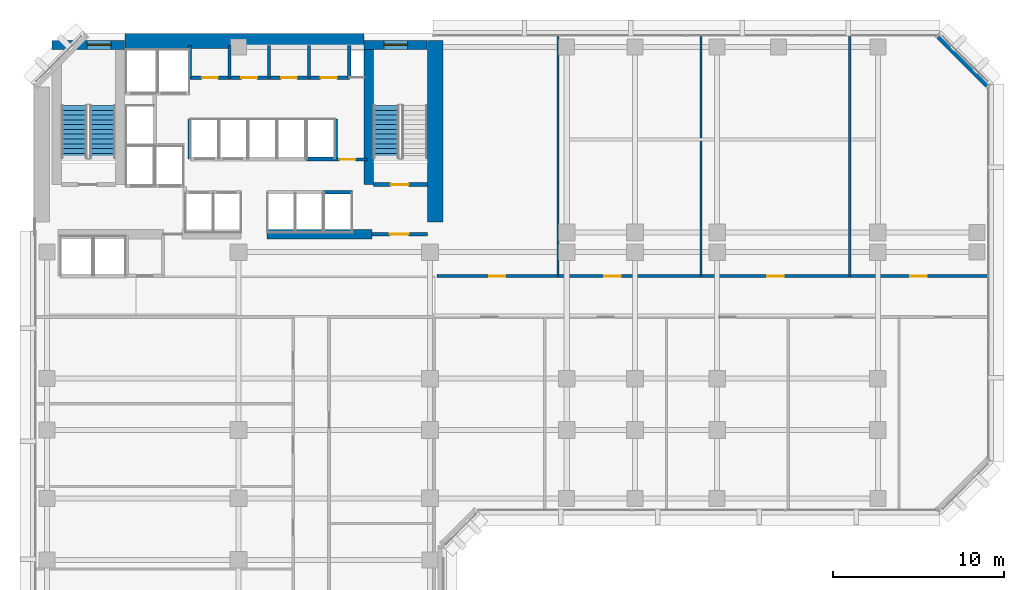
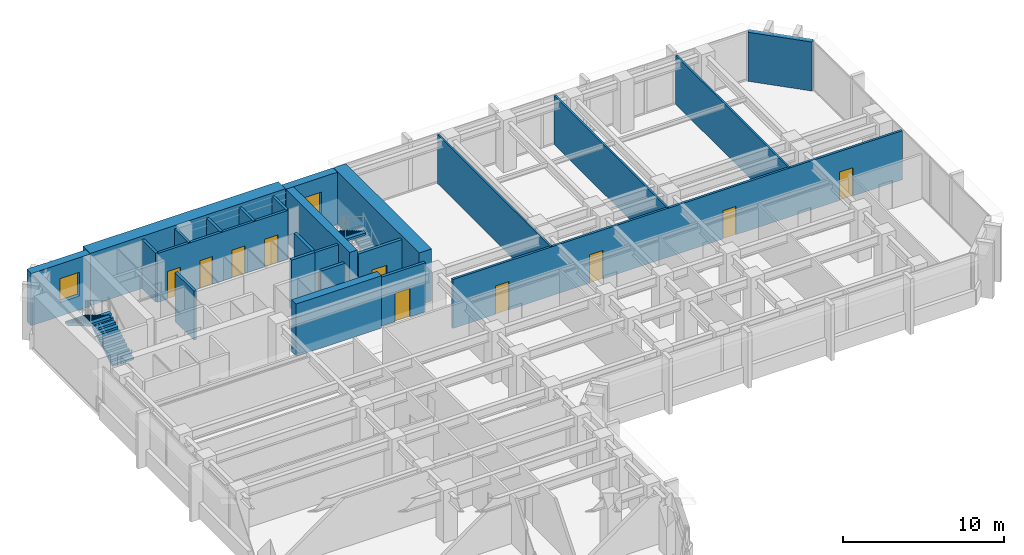
# One storey, part 8 of 14: 24 walls, 11 doors, 3 stair flights, 2 windows, 13 openings, 2 elements without a shape of their own.
"""IFC4 building model written with IfcOpenShell, lengths in metres."""

from ifc_helpers import new_model, si_unit, direction, frame, frame_2d, origin, place, context, subcontext, project, spatial, polyline, rectangle, outline, extrude, material, layer, layer_set, type_object, element, fill, aggregate, save


model = new_model("IFC4")

# Units and contexts
model_context = context("Model", 3, precision=1e-05, world=origin(), true_north=direction((0.0, 1.0)))
body_context = subcontext(model_context, "Body", "Model", "MODEL_VIEW")
ifc_project = project(units=[si_unit("LENGTHUNIT", "METRE"), si_unit("AREAUNIT", "SQUARE_METRE"), si_unit("VOLUMEUNIT", "CUBIC_METRE"), si_unit("PLANEANGLEUNIT", "RADIAN"), si_unit("MASSUNIT", "GRAM", prefix="KILO")], contexts=[model_context])

# Site, building, storey
site_placement = place(None, origin())
site = spatial("IfcSite", under=ifc_project, at=site_placement, CompositionType="ELEMENT")
building_placement = place(site_placement, origin())
building = spatial("IfcBuilding", under=site, at=building_placement, Name="Kefirva Bronze Tower", CompositionType="ELEMENT")
storey_placement = place(building_placement, frame((0.0, 0.0, 66.0)))
storey = spatial("IfcBuildingStorey", under=building, at=storey_placement, Name="L15", CompositionType="ELEMENT", Elevation=66.0)

# Walls
ifc_material_1 = material(Name="Gypsum acoustic partition")
ifc_layer_1 = layer(ifc_material_1, 0.1298828125, Name="Gypsum acoustic partition")
ifc_layer_set_1 = layer_set([ifc_layer_1], Name="Gypsum acoustic partition")
wall_type_1 = type_object("IfcWallType", Name="Acoustic Office Partition 130mm", PredefinedType="PARTITIONING", material=ifc_layer_set_1)
for number, where, z_axis, x_axis, name in (
    (1, (30.686279296875, 31.800048828125, 0.0), (0.0, 0.0, 1.0), (0.0, 1.0, 0.0), "L15 Partition W-L15-END1"),
    (2, (39.060791015625, 31.800048828125, 0.0), (0.0, 0.0, 1.0), (0.0, 1.0, 0.0), "L15 Partition W-L15-END2"),
    (3, (47.757568359375, 31.800048828125, 0.0), (0.0, 0.0, 1.0), (0.0, 1.0, 0.0), "L15 Partition W-L15-END3"),
):
    element("IfcWall", number, at=place(storey_placement, frame(where, z_axis=z_axis, x_axis=x_axis)), inside=storey, type_object=wall_type_1, Name=name, PredefinedType="PARTITIONING", context=body_context, shape_type="SweptSolid", body=[
        extrude(rectangle(XDim=14.010009765625, YDim=0.1298828125, at=frame_2d((7.0048828125, 0.0))), origin(), (0.0, 0.0, 1.0), 3.7099609375),
    ])

# Wall, opening, door
ifc_material_2 = material(Name="Gypsum fireboard shaftwall")
ifc_layer_2 = layer(ifc_material_2, 0.219970703125, Name="Gypsum fireboard shaftwall")
ifc_layer_set_2 = layer_set([ifc_layer_2], Name="Gypsum fireboard shaftwall")
wall_type_2 = type_object("IfcWallType", Name="Fire-Rated Shaft Enclosure Wall 220mm", PredefinedType="PARTITIONING", material=ifc_layer_set_2)
wall_1_placement = place(storey_placement, frame((19.89990234375, 37.14990234375, 0.0), z_axis=(0.0, 0.0, 1.0), x_axis=(1.0, 0.0, 0.0)))
wall_1 = element("IfcWall", 4, at=wall_1_placement, inside=storey, type_object=wall_type_2, Name="L15 Partition W-L15-ST2S", PredefinedType="PARTITIONING", context=body_context, shape_type="SweptSolid", body=[
    extrude(rectangle(XDim=3.150146484375, YDim=0.219970703125, at=frame_2d((1.5751953125, 0.0))), origin(), (0.0, 0.0, 1.0), 3.7099609375),
])
opening_1_placement = place(wall_1_placement, frame((2.050048828125, 0.0, 0.0), z_axis=(0.0, 0.0, 1.0), x_axis=(-1.0, 0.0, 0.0)))
opening_1 = element("IfcOpeningElement", 5, at=opening_1_placement, cuts=wall_1, Name="Opening L15-D003", PredefinedType="OPENING", context=body_context, shape_type="SweptSolid", body=[
    extrude(rectangle(XDim=1.050048828125, YDim=2.14990234375, at=frame_2d((0.52490234375, 1.074951171875))), frame((0.0, 0.1201171875, 0.0), z_axis=(0.0, -1.0, 0.0), x_axis=(1.0, 0.0, 0.0)), (0.0, 0.0, 1.0), 0.239990234375),
])
ifc_material_3 = material(Name="Painted galvanized steel", Category="steel")
door_type_1 = type_object("IfcDoorType", Name="Fire Stair Enclosure Door 1050x2150 FD90S", OperationType="NOTDEFINED", PredefinedType="DOOR", material=ifc_material_3)
door_1_placement = place(opening_1_placement, origin())
door_1 = element("IfcDoor", 6, at=door_1_placement, inside=storey, type_object=door_type_1, Name="Door L15-D003", OperationType="SINGLE_SWING_LEFT", OverallHeight=2.14990234375, OverallWidth=1.050048828125, PredefinedType="DOOR", context=body_context, shape_type="SweptSolid", body=[
    extrude(rectangle(XDim=1.050048828125, YDim=2.14990234375, at=frame_2d((0.52490234375, 1.074951171875))), frame((0.0, 0.02490234375, 0.0), z_axis=(0.0, -1.0, 0.0), x_axis=(1.0, 0.0, 0.0)), (0.0, 0.0, 1.0), 0.050048828125),
])
fill(opening_1, door_1)

# Walls
for number, where, z_axis, x_axis, name in (
    (7, (9.159912109375, 38.64990234375, 0.0), (0.0, 0.0, 1.0), (0.0, 1.0, 0.0), "L15 Partition W-L15-LP3W"),
    (8, (17.679931640625, 38.64990234375, 0.0), (0.0, 0.0, 1.0), (0.0, 1.0, 0.0), "L15 Partition W-L15-HP2E"),
):
    element("IfcWall", number, at=place(storey_placement, frame(where, z_axis=z_axis, x_axis=x_axis)), inside=storey, type_object=wall_type_2, Name=name, PredefinedType="PARTITIONING", context=body_context, shape_type="SweptSolid", body=[
        extrude(rectangle(XDim=2.35009765625, YDim=0.199951171875, at=frame_2d((1.175048828125, 0.0))), origin(), (0.0, 0.0, 1.0), 3.7099609375),
    ])
wall_2_placement = place(storey_placement, frame((16.97998046875, 36.699951171875, 0.0), z_axis=(0.0, 0.0, 1.0), x_axis=(1.0, 0.0, 0.0)))
element("IfcWall", 9, at=wall_2_placement, inside=storey, type_object=wall_type_2, Name="L15 Partition W-L15-HPS", PredefinedType="PARTITIONING", context=body_context, shape_type="SweptSolid", body=[
    extrude(rectangle(XDim=1.699951171875, YDim=0.219970703125, at=frame_2d((0.85009765625, 0.0))), origin(), (0.0, 0.0, 1.0), 3.7099609375),
])
wall_3_placement = place(storey_placement, frame((15.97998046875, 38.64990234375, 0.0), z_axis=(0.0, 0.0, 1.0), x_axis=(1.0, 0.0, 0.0)))
element("IfcWall", 10, at=wall_3_placement, inside=storey, type_object=wall_type_2, Name="L15 Partition W-L15-HPN", PredefinedType="PARTITIONING", context=body_context, shape_type="SweptSolid", body=[
    extrude(rectangle(XDim=1.719970703125, YDim=0.219970703125, at=frame_2d((0.85986328125, 0.0))), origin(), (0.0, 0.0, 1.0), 3.7099609375),
])

# Wall, opening, door
ifc_material_4 = material(Name="Gypsum fireboard barrier")
ifc_layer_3 = layer(ifc_material_4, 0.199951171875, Name="Gypsum fireboard barrier")
ifc_layer_set_3 = layer_set([ifc_layer_3], Name="Gypsum fireboard barrier")
wall_type_3 = type_object("IfcWallType", Name="Firefighting Lobby Barrier Wall 200mm", PredefinedType="PARTITIONING", material=ifc_layer_set_3)
wall_4_placement = place(storey_placement, frame((19.800048828125, 34.25, 0.0), z_axis=(0.0, 0.0, 1.0), x_axis=(1.0, 0.0, 0.0)))
wall_4 = element("IfcWall", 11, at=wall_4_placement, inside=storey, type_object=wall_type_3, Name="L15 Partition W-L15-ST2F", PredefinedType="PARTITIONING", context=body_context, shape_type="SweptSolid", body=[
    extrude(rectangle(XDim=3.25, YDim=0.199951171875, at=frame_2d((1.625, 0.0))), origin(), (0.0, 0.0, 1.0), 3.7099609375),
])
opening_2_placement = place(wall_4_placement, frame((2.150146484375, 0.0, 0.0), z_axis=(0.0, 0.0, 1.0), x_axis=(-1.0, 0.0, 0.0)))
opening_2 = element("IfcOpeningElement", 12, at=opening_2_placement, cuts=wall_4, Name="Opening L15-D004", PredefinedType="OPENING", context=body_context, shape_type="SweptSolid", body=[
    extrude(rectangle(XDim=1.10009765625, YDim=2.14990234375, at=frame_2d((0.550048828125, 1.074951171875))), frame((0.0, 0.10986328125, 0.0), z_axis=(0.0, -1.0, 0.0), x_axis=(1.0, 0.0, 0.0)), (0.0, 0.0, 1.0), 0.219970703125),
])
door_type_2 = type_object("IfcDoorType", Name="Firefighting Lobby Smoke Door 1100x2150 FD60S", OperationType="NOTDEFINED", PredefinedType="DOOR", material=ifc_material_3)
door_2_placement = place(opening_2_placement, origin())
door_2 = element("IfcDoor", 13, at=door_2_placement, inside=storey, type_object=door_type_2, Name="Door L15-D004", OperationType="SINGLE_SWING_RIGHT", OverallHeight=2.14990234375, OverallWidth=1.10009765625, PredefinedType="DOOR", context=body_context, shape_type="SweptSolid", body=[
    extrude(rectangle(XDim=1.10009765625, YDim=2.14990234375, at=frame_2d((0.550048828125, 1.074951171875))), frame((0.0, 0.02490234375, 0.0), z_axis=(0.0, -1.0, 0.0), x_axis=(1.0, 0.0, 0.0)), (0.0, 0.0, 1.0), 0.050048828125),
])
fill(opening_2, door_2)

wall_5_placement = place(storey_placement, frame((17.679931640625, 38.6201171875, 0.0), z_axis=(0.0, 0.0, 1.0), x_axis=(1.0, 0.0, 0.0)))
wall_5 = element("IfcWall", 14, at=wall_5_placement, inside=storey, type_object=wall_type_3, Name="L15 Partition W-L15-CPASS", PredefinedType="PARTITIONING", context=body_context, shape_type="SweptSolid", body=[
    extrude(rectangle(XDim=1.840087890625, YDim=0.179931640625, at=frame_2d((0.919921875, 0.0))), origin(), (0.0, 0.0, 1.0), 3.7099609375),
])
opening_3_placement = place(wall_5_placement, frame((0.239990234375, 0.0, 0.0)))
opening_3 = element("IfcOpeningElement", 15, at=opening_3_placement, cuts=wall_5, Name="Opening L15-D-CPAS", PredefinedType="OPENING", context=body_context, shape_type="SweptSolid", body=[
    extrude(rectangle(XDim=0.919921875, YDim=2.10009765625, at=frame_2d((0.4599609375, 1.050048828125))), frame((0.0, 0.10009765625, 0.0), z_axis=(0.0, -1.0, 0.0), x_axis=(1.0, 0.0, 0.0)), (0.0, 0.0, 1.0), 0.199951171875),
])
ifc_material_5 = material(Name="Moisture-resistant timber", Category="wood")
door_type_3 = type_object("IfcDoorType", Name="Accessible Sanitary & WC Door 920x2100", OperationType="NOTDEFINED", PredefinedType="DOOR", material=ifc_material_5)
door_3_placement = place(opening_3_placement, origin())
door_3 = element("IfcDoor", 16, at=door_3_placement, inside=storey, type_object=door_type_3, Name="Door L15-D-CPAS", OperationType="SINGLE_SWING_LEFT", OverallHeight=2.10009765625, OverallWidth=0.919921875, PredefinedType="DOOR", context=body_context, shape_type="SweptSolid", body=[
    extrude(rectangle(XDim=0.919921875, YDim=2.10009765625, at=frame_2d((0.4599609375, 1.050048828125))), frame((0.0, 0.02490234375, 0.0), z_axis=(0.0, -1.0, 0.0), x_axis=(1.0, 0.0, 0.0)), (0.0, 0.0, 1.0), 0.050048828125),
])
fill(opening_3, door_3)

# Wall
ifc_material_6 = material(Name="Precast concrete C40/50", Category="concrete")
ifc_layer_4 = layer(ifc_material_6, 0.320068359375, Name="Precast concrete C40/50")
ifc_layer_set_4 = layer_set([ifc_layer_4], Name="Precast concrete C40/50")
wall_type_4 = type_object("IfcWallType", Name="Precast Insulated Exterior Wall 320mm", PredefinedType="SOLIDWALL", material=ifc_layer_set_4)
wall_6_placement = place(storey_placement, frame((55.847900390625, 42.92578125, 0.0), z_axis=(0.0, 0.0, 1.0), x_axis=(-0.707106781187, 0.707106781187, 0.0)))
element("IfcWall", 17, at=wall_6_placement, inside=storey, type_object=wall_type_4, Name="L15 Exterior Facade Wall 8", PredefinedType="SOLIDWALL", context=body_context, shape_type="SweptSolid", body=[
    extrude(rectangle(XDim=4.132568359375, YDim=0.320068359375, at=frame_2d((2.06640625, 0.0))), origin(), (0.0, 0.0, 1.0), 3.7099609375),
])

# Wall, openings, doors
ifc_layer_5 = layer(ifc_material_1, 0.159912109375, Name="Gypsum acoustic partition")
ifc_layer_set_5 = layer_set([ifc_layer_5], Name="Gypsum acoustic partition")
wall_type_5 = type_object("IfcWallType", Name="Protected Corridor Partition 160mm", PredefinedType="PARTITIONING", material=ifc_layer_set_5)
wall_7_placement = place(storey_placement, frame((23.60009765625, 31.800048828125, 0.0), z_axis=(0.0, 0.0, 1.0), x_axis=(1.0, 0.0, 0.0)))
wall_7 = element("IfcWall", 18, at=wall_7_placement, inside=storey, type_object=wall_type_5, Name="L15 Partition W-L15-EWN", PredefinedType="PARTITIONING", context=body_context, shape_type="SweptSolid", body=[
    extrude(rectangle(XDim=32.2099609375, YDim=0.159912109375, at=frame_2d((16.10498046875, 0.0))), origin(), (0.0, 0.0, 1.0), 3.7099609375),
])
opening_4_placement = place(wall_7_placement, frame((3.068115234375, 0.0, 0.0)))
opening_4 = element("IfcOpeningElement", 19, at=opening_4_placement, cuts=wall_7, Name="Opening L15-D-EN1", PredefinedType="OPENING", context=body_context, shape_type="SweptSolid", body=[
    extrude(rectangle(XDim=0.949951171875, YDim=2.14990234375, at=frame_2d((0.47509765625, 1.074951171875))), frame((0.0, 0.08984375, 0.0), z_axis=(0.0, -1.0, 0.0), x_axis=(1.0, 0.0, 0.0)), (0.0, 0.0, 1.0), 0.179931640625),
])
opening_5_placement = place(wall_7_placement, frame((9.798583984375, 0.0, 0.0)))
opening_5 = element("IfcOpeningElement", 20, at=opening_5_placement, cuts=wall_7, Name="Opening L15-D-EN2", PredefinedType="OPENING", context=body_context, shape_type="SweptSolid", body=[
    extrude(rectangle(XDim=0.949951171875, YDim=2.14990234375, at=frame_2d((0.47509765625, 1.074951171875))), frame((0.0, 0.08984375, 0.0), z_axis=(0.0, -1.0, 0.0), x_axis=(1.0, 0.0, 0.0)), (0.0, 0.0, 1.0), 0.179931640625),
])
opening_6_placement = place(wall_7_placement, frame((19.333984375, 0.0, 0.0)))
opening_6 = element("IfcOpeningElement", 21, at=opening_6_placement, cuts=wall_7, Name="Opening L15-D-EN3", PredefinedType="OPENING", context=body_context, shape_type="SweptSolid", body=[
    extrude(rectangle(XDim=0.949951171875, YDim=2.14990234375, at=frame_2d((0.47509765625, 1.074951171875))), frame((0.0, 0.08984375, 0.0), z_axis=(0.0, -1.0, 0.0), x_axis=(1.0, 0.0, 0.0)), (0.0, 0.0, 1.0), 0.179931640625),
])
opening_7_placement = place(wall_7_placement, frame((27.708740234375, 0.0, 0.0)))
opening_7 = element("IfcOpeningElement", 22, at=opening_7_placement, cuts=wall_7, Name="Opening L15-D-EN4", PredefinedType="OPENING", context=body_context, shape_type="SweptSolid", body=[
    extrude(rectangle(XDim=0.949951171875, YDim=2.14990234375, at=frame_2d((0.47509765625, 1.074951171875))), frame((0.0, 0.08984375, 0.0), z_axis=(0.0, -1.0, 0.0), x_axis=(1.0, 0.0, 0.0)), (0.0, 0.0, 1.0), 0.179931640625),
])
ifc_material_7 = material(Name="Acoustic hardwood oak", Category="wood")
door_type_4 = type_object("IfcDoorType", Name="Office & Meeting Room Door 950x2150", OperationType="NOTDEFINED", PredefinedType="DOOR", material=ifc_material_7)
door_4_placement = place(opening_4_placement, origin())
door_4 = element("IfcDoor", 23, at=door_4_placement, inside=storey, type_object=door_type_4, Name="Door L15-D-EN1", OperationType="SINGLE_SWING_RIGHT", OverallHeight=2.14990234375, OverallWidth=0.949951171875, PredefinedType="DOOR", context=body_context, shape_type="SweptSolid", body=[
    extrude(rectangle(XDim=0.949951171875, YDim=2.14990234375, at=frame_2d((0.47509765625, 1.074951171875))), frame((0.0, 0.02490234375, 0.0), z_axis=(0.0, -1.0, 0.0), x_axis=(1.0, 0.0, 0.0)), (0.0, 0.0, 1.0), 0.050048828125),
])
fill(opening_4, door_4)
door_5_placement = place(opening_5_placement, origin())
door_5 = element("IfcDoor", 24, at=door_5_placement, inside=storey, type_object=door_type_4, Name="Door L15-D-EN2", OperationType="SINGLE_SWING_LEFT", OverallHeight=2.14990234375, OverallWidth=0.949951171875, PredefinedType="DOOR", context=body_context, shape_type="SweptSolid", body=[
    extrude(rectangle(XDim=0.949951171875, YDim=2.14990234375, at=frame_2d((0.47509765625, 1.074951171875))), frame((0.0, 0.02490234375, 0.0), z_axis=(0.0, -1.0, 0.0), x_axis=(1.0, 0.0, 0.0)), (0.0, 0.0, 1.0), 0.050048828125),
])
fill(opening_5, door_5)
door_6_placement = place(opening_6_placement, origin())
door_6 = element("IfcDoor", 25, at=door_6_placement, inside=storey, type_object=door_type_4, Name="Door L15-D-EN3", OperationType="SINGLE_SWING_RIGHT", OverallHeight=2.14990234375, OverallWidth=0.949951171875, PredefinedType="DOOR", context=body_context, shape_type="SweptSolid", body=[
    extrude(rectangle(XDim=0.949951171875, YDim=2.14990234375, at=frame_2d((0.47509765625, 1.074951171875))), frame((0.0, 0.02490234375, 0.0), z_axis=(0.0, -1.0, 0.0), x_axis=(1.0, 0.0, 0.0)), (0.0, 0.0, 1.0), 0.050048828125),
])
fill(opening_6, door_6)
door_7_placement = place(opening_7_placement, origin())
door_7 = element("IfcDoor", 26, at=door_7_placement, inside=storey, type_object=door_type_4, Name="Door L15-D-EN4", OperationType="SINGLE_SWING_LEFT", OverallHeight=2.14990234375, OverallWidth=0.949951171875, PredefinedType="DOOR", context=body_context, shape_type="SweptSolid", body=[
    extrude(rectangle(XDim=0.949951171875, YDim=2.14990234375, at=frame_2d((0.47509765625, 1.074951171875))), frame((0.0, 0.02490234375, 0.0), z_axis=(0.0, -1.0, 0.0), x_axis=(1.0, 0.0, 0.0)), (0.0, 0.0, 1.0), 0.050048828125),
])
fill(opening_7, door_7)

# Wall, opening, window
ifc_material_8 = material(Name="Concrete C50/60", Category="concrete")
ifc_layer_6 = layer(ifc_material_8, 0.550048828125, Name="Concrete C50/60")
ifc_layer_set_6 = layer_set([ifc_layer_6], Name="Concrete C50/60")
wall_type_6 = type_object("IfcWallType", Name="RC Rear Core Exterior Wall 550mm", PredefinedType="SHEAR", material=ifc_layer_set_6)
wall_8_placement = place(storey_placement, frame((1.10009765625, 45.320068359375, 0.0), z_axis=(0.0, 0.0, 1.0), x_axis=(1.0, 0.0, 0.0)))
wall_8 = element("IfcWall", 27, at=wall_8_placement, inside=storey, type_object=wall_type_6, Name="L15 Stair 1 North Shear Wall", PredefinedType="SHEAR", context=body_context, shape_type="SweptSolid", body=[
    extrude(rectangle(XDim=4.239990234375, YDim=0.550048828125, at=frame_2d((2.1201171875, 0.0))), origin(), (0.0, 0.0, 1.0), 3.9599609375),
])
opening_8_placement = place(wall_8_placement, frame((2.050048828125, 0.0, 1.050048828125)))
opening_8 = element("IfcOpeningElement", 28, at=opening_8_placement, cuts=wall_8, Name="Opening WN-03", PredefinedType="OPENING", context=body_context, shape_type="SweptSolid", body=[
    extrude(rectangle(XDim=1.39990234375, YDim=1.800048828125, at=frame_2d((0.699951171875, 0.89990234375))), frame((0.0, 0.28515625, 0.0), z_axis=(0.0, -1.0, 0.0), x_axis=(1.0, 0.0, 0.0)), (0.0, 0.0, 1.0), 0.570068359375),
])
ifc_material_9 = material(Name="Laminated low-E double glazing", Category="glass")
window_type = type_object("IfcWindowType", Name="Rear-Core Stair Daylight Window 1400x1800", PartitioningType="SINGLE_PANEL", PredefinedType="WINDOW", material=ifc_material_9)
window_1_placement = place(opening_8_placement, origin())
window_1 = element("IfcWindow", 29, at=window_1_placement, inside=storey, type_object=window_type, Name="L15 Stair 1 Daylight Window", OverallHeight=1.800048828125, OverallWidth=1.39990234375, PartitioningType="SINGLE_PANEL", PredefinedType="WINDOW", context=body_context, shape_type="SweptSolid", body=[
    extrude(rectangle(XDim=1.39990234375, YDim=1.800048828125, at=frame_2d((0.699951171875, 0.89990234375))), frame((0.0, 0.030029296875, 0.0), z_axis=(0.0, -1.0, 0.0), x_axis=(1.0, 0.0, 0.0)), (0.0, 0.0, 1.0), 0.06005859375),
])
fill(opening_8, window_1)

wall_9_placement = place(storey_placement, frame((19.35009765625, 45.320068359375, 0.0), z_axis=(0.0, 0.0, 1.0), x_axis=(1.0, 0.0, 0.0)))
wall_9 = element("IfcWall", 30, at=wall_9_placement, inside=storey, type_object=wall_type_6, Name="L15 Stair 2 North Shear Wall", PredefinedType="SHEAR", context=body_context, shape_type="SweptSolid", body=[
    extrude(rectangle(XDim=3.68994140625, YDim=0.550048828125, at=frame_2d((1.844970703125, 0.0))), origin(), (0.0, 0.0, 1.0), 3.9599609375),
])
opening_9_placement = place(wall_9_placement, frame((1.14990234375, 0.0, 1.050048828125)))
opening_9 = element("IfcOpeningElement", 31, at=opening_9_placement, cuts=wall_9, Name="Opening WN-03", PredefinedType="OPENING", context=body_context, shape_type="SweptSolid", body=[
    extrude(rectangle(XDim=1.39990234375, YDim=1.800048828125, at=frame_2d((0.699951171875, 0.89990234375))), frame((0.0, 0.28515625, 0.0), z_axis=(0.0, -1.0, 0.0), x_axis=(1.0, 0.0, 0.0)), (0.0, 0.0, 1.0), 0.570068359375),
])
window_2_placement = place(opening_9_placement, origin())
window_2 = element("IfcWindow", 32, at=window_2_placement, inside=storey, type_object=window_type, Name="L15 Stair 2 Daylight Window", OverallHeight=1.800048828125, OverallWidth=1.39990234375, PartitioningType="SINGLE_PANEL", PredefinedType="WINDOW", context=body_context, shape_type="SweptSolid", body=[
    extrude(rectangle(XDim=1.39990234375, YDim=1.800048828125, at=frame_2d((0.699951171875, 0.89990234375))), frame((0.0, 0.030029296875, 0.0), z_axis=(0.0, -1.0, 0.0), x_axis=(1.0, 0.0, 0.0)), (0.0, 0.0, 1.0), 0.06005859375),
])
fill(opening_9, window_2)

# Walls
ifc_material_10 = material(Name="Concrete C60/75", Category="concrete")
ifc_layer_7 = layer(ifc_material_10, 0.89990234375, Name="Concrete C60/75")
ifc_layer_set_7 = layer_set([ifc_layer_7], Name="Concrete C60/75")
wall_type_7 = type_object("IfcWallType", Name="RC Rear Core Exterior Wall 900mm", PredefinedType="SHEAR", material=ifc_layer_set_7)
wall_10_placement = place(storey_placement, frame((5.360107421875, 45.550048828125, 0.0), z_axis=(0.0, 0.0, 1.0), x_axis=(1.0, 0.0, 0.0)))
element("IfcWall", 33, at=wall_10_placement, inside=storey, type_object=wall_type_7, Name="L15 Rear Core North Shear Wall", PredefinedType="SHEAR", context=body_context, shape_type="SweptSolid", body=[
    extrude(rectangle(XDim=13.97998046875, YDim=0.89990234375, at=frame_2d((6.989990234375, 0.0))), origin(), (0.0, 0.0, 1.0), 3.9599609375),
])
ifc_layer_8 = layer(ifc_material_8, 0.550048828125, Name="Concrete C50/60")
ifc_layer_set_8 = layer_set([ifc_layer_8], Name="Concrete C50/60")
wall_type_8 = type_object("IfcWallType", Name="RC Rear Core Interior Wall 550mm", PredefinedType="SHEAR", material=ifc_layer_set_8)
wall_11_placement = place(storey_placement, frame((19.6201171875, 37.14990234375, 0.0), z_axis=(0.0, 0.0, 1.0), x_axis=(0.0, 1.0, 0.0)))
element("IfcWall", 34, at=wall_11_placement, inside=storey, type_object=wall_type_8, Name="L15 Stair 2 West Shear Wall", PredefinedType="SHEAR", context=body_context, shape_type="SweptSolid", body=[
    extrude(rectangle(XDim=7.89013671875, YDim=0.550048828125, at=frame_2d((3.945068359375, 0.0))), origin(), (0.0, 0.0, 1.0), 3.9599609375),
])
ifc_layer_9 = layer(ifc_material_10, 0.89990234375, Name="Concrete C60/75")
ifc_layer_set_9 = layer_set([ifc_layer_9], Name="Concrete C60/75")
wall_type_9 = type_object("IfcWallType", Name="RC Rear Core Interior Wall 900mm", PredefinedType="SHEAR", material=ifc_layer_set_9)
wall_12_placement = place(storey_placement, frame((23.5, 34.949951171875, 0.0), z_axis=(0.0, 0.0, 1.0), x_axis=(0.0, 1.0, 0.0)))
element("IfcWall", 35, at=wall_12_placement, inside=storey, type_object=wall_type_9, Name="L15 Rear Core East Shear Wall", PredefinedType="SHEAR", context=body_context, shape_type="SweptSolid", body=[
    extrude(rectangle(XDim=10.64013671875, YDim=0.89990234375, at=frame_2d((5.320068359375, 0.0))), origin(), (0.0, 0.0, 1.0), 3.9599609375),
])
wall_13_placement = place(storey_placement, frame((13.679931640625, 34.25, 0.0), z_axis=(0.0, 0.0, 1.0), x_axis=(1.0, 0.0, 0.0)))
element("IfcWall", 36, at=wall_13_placement, inside=storey, type_object=wall_type_9, Name="L15 Rear Core South-East Shear Wall", PredefinedType="SHEAR", context=body_context, shape_type="SweptSolid", body=[
    extrude(rectangle(XDim=6.1201171875, YDim=0.550048828125, at=frame_2d((3.06005859375, 0.0))), origin(), (0.0, 0.0, 1.0), 3.9599609375),
])

# Wall, openings, doors
ifc_material_11 = material(Name="Moisture-resistant partition")
ifc_layer_10 = layer(ifc_material_11, 0.179931640625, Name="Moisture-resistant partition")
ifc_layer_set_10 = layer_set([ifc_layer_10], Name="Moisture-resistant partition")
wall_type_10 = type_object("IfcWallType", Name="Sanitary Plumbing Chase Wall 180mm", PredefinedType="PLUMBINGWALL", material=ifc_layer_set_10)
wall_14_placement = place(storey_placement, frame((9.14990234375, 43.39990234375, 0.0), z_axis=(0.0, 0.0, 1.0), x_axis=(1.0, 0.0, 0.0)))
wall_14 = element("IfcWall", 37, at=wall_14_placement, inside=storey, type_object=wall_type_10, Name="L15 Partition W-L15-SVCS", PredefinedType="PLUMBINGWALL", context=body_context, shape_type="SweptSolid", body=[
    extrude(rectangle(XDim=9.330078125, YDim=0.179931640625, at=frame_2d((4.6650390625, 0.0))), origin(), (0.0, 0.0, 1.0), 3.7099609375),
])
opening_10_placement = place(wall_14_placement, frame((0.719970703125, 0.0, 0.0)))
opening_10 = element("IfcOpeningElement", 38, at=opening_10_placement, cuts=wall_14, Name="Opening L15-D-CSVC1", PredefinedType="OPENING", context=body_context, shape_type="SweptSolid", body=[
    extrude(rectangle(XDim=0.919921875, YDim=2.10009765625, at=frame_2d((0.4599609375, 1.050048828125))), frame((0.0, 0.10009765625, 0.0), z_axis=(0.0, -1.0, 0.0), x_axis=(1.0, 0.0, 0.0)), (0.0, 0.0, 1.0), 0.199951171875),
])
opening_11_placement = place(wall_14_placement, frame((3.02001953125, 0.0, 0.0)))
opening_11 = element("IfcOpeningElement", 39, at=opening_11_placement, cuts=wall_14, Name="Opening L15-D-CSVC2", PredefinedType="OPENING", context=body_context, shape_type="SweptSolid", body=[
    extrude(rectangle(XDim=0.919921875, YDim=2.10009765625, at=frame_2d((0.4599609375, 1.050048828125))), frame((0.0, 0.10009765625, 0.0), z_axis=(0.0, -1.0, 0.0), x_axis=(1.0, 0.0, 0.0)), (0.0, 0.0, 1.0), 0.199951171875),
])
opening_12_placement = place(wall_14_placement, frame((5.340087890625, 0.0, 0.0)))
opening_12 = element("IfcOpeningElement", 40, at=opening_12_placement, cuts=wall_14, Name="Opening L15-D-CSVC3", PredefinedType="OPENING", context=body_context, shape_type="SweptSolid", body=[
    extrude(rectangle(XDim=0.919921875, YDim=2.10009765625, at=frame_2d((0.4599609375, 1.050048828125))), frame((0.0, 0.10009765625, 0.0), z_axis=(0.0, -1.0, 0.0), x_axis=(1.0, 0.0, 0.0)), (0.0, 0.0, 1.0), 0.199951171875),
])
opening_13_placement = place(wall_14_placement, frame((7.659912109375, 0.0, 0.0)))
opening_13 = element("IfcOpeningElement", 41, at=opening_13_placement, cuts=wall_14, Name="Opening L15-D-CSVC4", PredefinedType="OPENING", context=body_context, shape_type="SweptSolid", body=[
    extrude(rectangle(XDim=0.949951171875, YDim=2.10009765625, at=frame_2d((0.47509765625, 1.050048828125))), frame((0.0, 0.10009765625, 0.0), z_axis=(0.0, -1.0, 0.0), x_axis=(1.0, 0.0, 0.0)), (0.0, 0.0, 1.0), 0.199951171875),
])
door_8_placement = place(opening_10_placement, origin())
door_8 = element("IfcDoor", 42, at=door_8_placement, inside=storey, type_object=door_type_3, Name="Door L15-D-CSVC1", OperationType="SINGLE_SWING_LEFT", OverallHeight=2.10009765625, OverallWidth=0.919921875, PredefinedType="DOOR", context=body_context, shape_type="SweptSolid", body=[
    extrude(rectangle(XDim=0.919921875, YDim=2.10009765625, at=frame_2d((0.4599609375, 1.050048828125))), frame((0.0, 0.02490234375, 0.0), z_axis=(0.0, -1.0, 0.0), x_axis=(1.0, 0.0, 0.0)), (0.0, 0.0, 1.0), 0.050048828125),
])
fill(opening_10, door_8)
door_9_placement = place(opening_11_placement, origin())
door_9 = element("IfcDoor", 43, at=door_9_placement, inside=storey, type_object=door_type_3, Name="Door L15-D-CSVC2", OperationType="SINGLE_SWING_RIGHT", OverallHeight=2.10009765625, OverallWidth=0.919921875, PredefinedType="DOOR", context=body_context, shape_type="SweptSolid", body=[
    extrude(rectangle(XDim=0.919921875, YDim=2.10009765625, at=frame_2d((0.4599609375, 1.050048828125))), frame((0.0, 0.02490234375, 0.0), z_axis=(0.0, -1.0, 0.0), x_axis=(1.0, 0.0, 0.0)), (0.0, 0.0, 1.0), 0.050048828125),
])
fill(opening_11, door_9)
door_10_placement = place(opening_12_placement, origin())
door_10 = element("IfcDoor", 44, at=door_10_placement, inside=storey, type_object=door_type_3, Name="Door L15-D-CSVC3", OperationType="SINGLE_SWING_LEFT", OverallHeight=2.10009765625, OverallWidth=0.919921875, PredefinedType="DOOR", context=body_context, shape_type="SweptSolid", body=[
    extrude(rectangle(XDim=0.919921875, YDim=2.10009765625, at=frame_2d((0.4599609375, 1.050048828125))), frame((0.0, 0.02490234375, 0.0), z_axis=(0.0, -1.0, 0.0), x_axis=(1.0, 0.0, 0.0)), (0.0, 0.0, 1.0), 0.050048828125),
])
fill(opening_12, door_10)
door_type_5 = type_object("IfcDoorType", Name="Riser & Plant Shaft Fire Door 950x2100 FD60S", OperationType="NOTDEFINED", PredefinedType="DOOR", material=ifc_material_3)
door_11_placement = place(opening_13_placement, origin())
door_11 = element("IfcDoor", 45, at=door_11_placement, inside=storey, type_object=door_type_5, Name="Door L15-D-CSVC4", OperationType="SINGLE_SWING_RIGHT", OverallHeight=2.10009765625, OverallWidth=0.949951171875, PredefinedType="DOOR", context=body_context, shape_type="SweptSolid", body=[
    extrude(rectangle(XDim=0.949951171875, YDim=2.10009765625, at=frame_2d((0.47509765625, 1.050048828125))), frame((0.0, 0.02490234375, 0.0), z_axis=(0.0, -1.0, 0.0), x_axis=(1.0, 0.0, 0.0)), (0.0, 0.0, 1.0), 0.050048828125),
])
fill(opening_13, door_11)

# Walls
for number, where, z_axis, x_axis, name in (
    (46, (9.14990234375, 43.39990234375, 0.0), (0.0, 0.0, 1.0), (0.0, 1.0, 0.0), "L15 Partition W-L15-SVCW"),
    (47, (18.47998046875, 43.39990234375, 0.0), (0.0, 0.0, 1.0), (0.0, 1.0, 0.0), "L15 Partition W-L15-SVCE"),
    (48, (11.47998046875, 43.39990234375, 0.0), (0.0, 0.0, 1.0), (0.0, 1.0, 0.0), "L15 Partition W-L15-CSVD-1"),
    (49, (13.780029296875, 43.39990234375, 0.0), (0.0, 0.0, 1.0), (0.0, 1.0, 0.0), "L15 Partition W-L15-CSVD-2"),
    (50, (16.1201171875, 43.39990234375, 0.0), (0.0, 0.0, 1.0), (0.0, 1.0, 0.0), "L15 Partition W-L15-CSVD-3"),
):
    element("IfcWall", number, at=place(storey_placement, frame(where, z_axis=z_axis, x_axis=x_axis)), inside=storey, type_object=wall_type_10, Name=name, PredefinedType="PLUMBINGWALL", context=body_context, shape_type="SweptSolid", body=[
        extrude(rectangle(XDim=1.880126953125, YDim=0.179931640625, at=frame_2d((0.93994140625, 0.0))), origin(), (0.0, 0.0, 1.0), 3.7099609375),
    ])

# Stair, stair flights
ifc_material_12 = material(Name="Concrete C40/50", Category="concrete")
stair_type = type_object("IfcStairType", Name="RC Dogleg Protected Stair 24R", PredefinedType="HALF_TURN_STAIR", material=ifc_material_12)
stair_1_placement = place(storey_placement, origin())
stair_1 = element("IfcStair", 51, at=stair_1_placement, inside=storey, type_object=stair_type, Name="L15 Protected Exit Stair 1", PredefinedType="HALF_TURN_STAIR")
stair_flight_type = type_object("IfcStairFlightType", Name="RC Straight Stair Flight 24R", PredefinedType="STRAIGHT", material=ifc_material_12)
stair_flight_1_placement = place(storey_placement, frame((4.050048828125, 38.699951171875, 0.0), z_axis=(0.0, 0.0, 1.0), x_axis=(0.0, 1.0, 0.0)))
stair_flight_1 = element("IfcStairFlight", 52, at=stair_flight_1_placement, type_object=stair_flight_type, Name="ST-1 flight 1", NumberOfRisers=12, NumberOfTreads=11, PredefinedType="STRAIGHT", RiserHeight=0.165, TreadLength=0.28, context=body_context, shape_type="SweptSolid", body=[
    extrude(outline(polyline([(0.0, 0.0), (0.0, 0.1650390625), (0.280029296875, 0.1650390625), (0.280029296875, 0.330078125), (0.56005859375, 0.330078125), (0.56005859375, 0.4951171875), (0.840087890625, 0.4951171875), (0.840087890625, 0.659912109375), (1.1201171875, 0.659912109375), (1.1201171875, 0.824951171875), (1.39990234375, 0.824951171875), (1.39990234375, 0.989990234375), (1.679931640625, 0.989990234375), (1.679931640625, 1.155029296875), (1.9599609375, 1.155029296875), (1.9599609375, 1.320068359375), (2.239990234375, 1.320068359375), (2.239990234375, 1.485107421875), (2.52001953125, 1.485107421875), (2.52001953125, 1.64990234375), (2.800048828125, 1.64990234375), (2.800048828125, 1.81494140625), (3.080078125, 1.81494140625), (3.080078125, 1.97998046875), (3.080078125, 1.64111328125), (0.295166015625, 0.0), (0.0, 0.0)])), frame((0.0, 0.75, 0.0), z_axis=(0.0, -1.0, 0.0), x_axis=(1.0, 0.0, 0.0)), (0.0, 0.0, 1.0), 1.5),
])
stair_flight_2_placement = place(storey_placement, frame((2.39990234375, 41.780029296875, 1.97998046875), z_axis=(0.0, 0.0, 1.0), x_axis=(0.0, -1.0, 0.0)))
stair_flight_2 = element("IfcStairFlight", 53, at=stair_flight_2_placement, type_object=stair_flight_type, Name="ST-1 flight 2", NumberOfRisers=12, NumberOfTreads=11, PredefinedType="STRAIGHT", RiserHeight=0.165, TreadLength=0.28, context=body_context, shape_type="SweptSolid", body=[
    extrude(outline(polyline([(0.0, 0.0), (0.0, 0.1650390625), (0.280029296875, 0.1650390625), (0.280029296875, 0.330078125), (0.56005859375, 0.330078125), (0.56005859375, 0.4951171875), (0.840087890625, 0.4951171875), (0.840087890625, 0.659912109375), (1.1201171875, 0.659912109375), (1.1201171875, 0.824951171875), (1.39990234375, 0.824951171875), (1.39990234375, 0.989990234375), (1.679931640625, 0.989990234375), (1.679931640625, 1.155029296875), (1.9599609375, 1.155029296875), (1.9599609375, 1.320068359375), (2.239990234375, 1.320068359375), (2.239990234375, 1.485107421875), (2.52001953125, 1.485107421875), (2.52001953125, 1.64990234375), (2.800048828125, 1.64990234375), (2.800048828125, 1.81494140625), (3.080078125, 1.81494140625), (3.080078125, 1.97998046875), (3.080078125, 1.64111328125), (0.295166015625, 0.0), (0.0, 0.0)])), frame((0.0, 0.75, 0.0), z_axis=(0.0, -1.0, 0.0), x_axis=(1.0, 0.0, 0.0)), (0.0, 0.0, 1.0), 1.5),
])
aggregate(stair_1, [stair_flight_1, stair_flight_2])

# Stair, stair flight
stair_2_placement = place(storey_placement, origin())
stair_2 = element("IfcStair", 54, at=stair_2_placement, inside=storey, type_object=stair_type, Name="L15 Protected Exit Stair 2", PredefinedType="HALF_TURN_STAIR")
stair_flight_3_placement = place(storey_placement, frame((20.64990234375, 41.780029296875, 1.97998046875), z_axis=(0.0, 0.0, 1.0), x_axis=(0.0, -1.0, 0.0)))
stair_flight_3 = element("IfcStairFlight", 55, at=stair_flight_3_placement, type_object=stair_flight_type, Name="ST-2 flight 2", NumberOfRisers=12, NumberOfTreads=11, PredefinedType="STRAIGHT", RiserHeight=0.165, TreadLength=0.28, context=body_context, shape_type="SweptSolid", body=[
    extrude(outline(polyline([(0.0, 0.0), (0.0, 0.1650390625), (0.280029296875, 0.1650390625), (0.280029296875, 0.330078125), (0.56005859375, 0.330078125), (0.56005859375, 0.4951171875), (0.840087890625, 0.4951171875), (0.840087890625, 0.659912109375), (1.1201171875, 0.659912109375), (1.1201171875, 0.824951171875), (1.39990234375, 0.824951171875), (1.39990234375, 0.989990234375), (1.679931640625, 0.989990234375), (1.679931640625, 1.155029296875), (1.9599609375, 1.155029296875), (1.9599609375, 1.320068359375), (2.239990234375, 1.320068359375), (2.239990234375, 1.485107421875), (2.52001953125, 1.485107421875), (2.52001953125, 1.64990234375), (2.800048828125, 1.64990234375), (2.800048828125, 1.81494140625), (3.080078125, 1.81494140625), (3.080078125, 1.97998046875), (3.080078125, 1.64111328125), (0.295166015625, 0.0), (0.0, 0.0)])), frame((0.0, 0.75, 0.0), z_axis=(0.0, -1.0, 0.0), x_axis=(1.0, 0.0, 0.0)), (0.0, 0.0, 1.0), 1.5),
])
aggregate(stair_2, [stair_flight_3])

save(model, "model.ifc")
